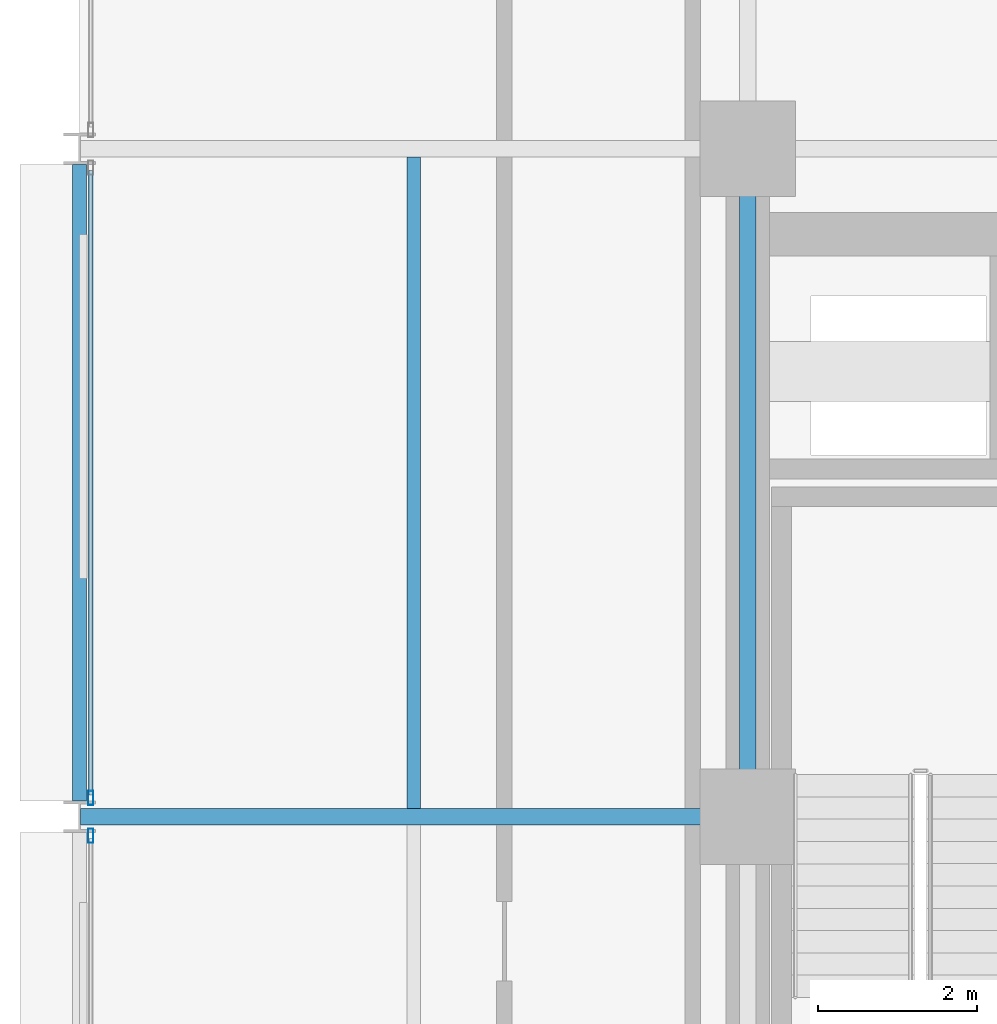
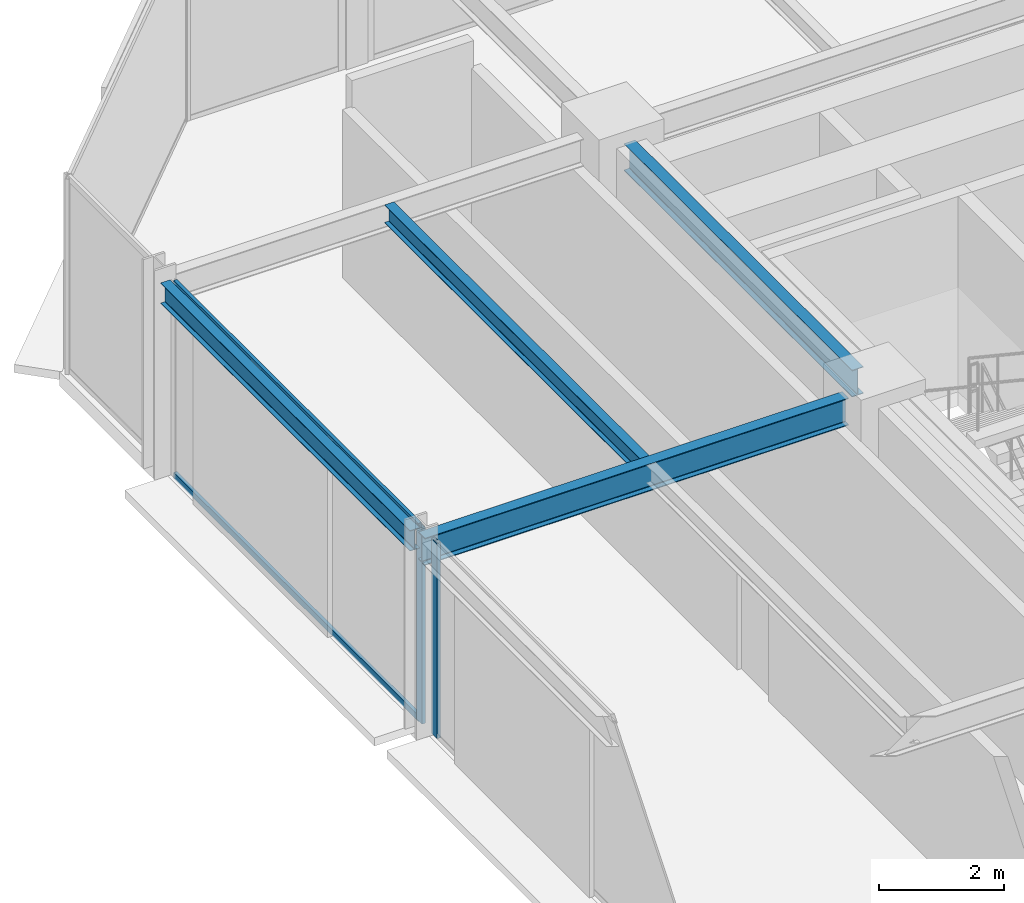
# One storey, part 16 of 30: 4 beams, 4 members, 2 elements without a shape of their own.
"""IFC4 building model written with IfcOpenShell, lengths in metres."""

from ifc_helpers import new_model, si_unit, direction, frame, origin, origin_2d, place, context, subcontext, project, spatial, hollow_rectangle, i_section, extrude, material, layer, layer_set, material_profile, profile_set, type_object, element, aggregate, save


model = new_model("IFC4")

# Units and contexts
model_context = context("Model", 3, precision=1e-05, world=origin(), true_north=direction((0.0, 1.0)))
body_context = subcontext(model_context, "Body", "Model", "MODEL_VIEW")
ifc_project = project(units=[si_unit("LENGTHUNIT", "METRE"), si_unit("AREAUNIT", "SQUARE_METRE"), si_unit("VOLUMEUNIT", "CUBIC_METRE"), si_unit("PLANEANGLEUNIT", "RADIAN"), si_unit("MASSUNIT", "GRAM", prefix="KILO")], contexts=[model_context])

# Site, building, storey
site_placement = place(None, origin())
site = spatial("IfcSite", under=ifc_project, at=site_placement, CompositionType="ELEMENT")
building_placement = place(site_placement, origin())
building = spatial("IfcBuilding", under=site, at=building_placement, Name="Nerrivon Quay Data Exchange", CompositionType="ELEMENT")
storey_placement = place(building_placement, frame((0.0, 0.0, 117.199951171875)))
storey = spatial("IfcBuildingStorey", under=building, at=storey_placement, Name="L27", CompositionType="ELEMENT", Elevation=117.199951171875)

# Beams
ifc_material_1 = material(Name="Steel Grade 350", Category="steel")
ifc_material_profile_1 = material_profile(ifc_material_1, i_section(OverallWidth=0.208984375, OverallDepth=0.532958984375, WebThickness=0.01025390625, FlangeThickness=0.015625, FilletRadius=0.013916015625, at=origin_2d()), Name="530UB92.4")
ifc_profile_set_1 = profile_set([ifc_material_profile_1], Name="Steel Grade 350")
beam_type_1 = type_object("IfcBeamType", Name="BM-G3-530UB92", PredefinedType="BEAM", material=ifc_profile_set_1)
beam_1_placement = place(storey_placement, frame((0.012451171875, 33.60009765625, 3.55859375), z_axis=(1.0, 0.0, 0.0), x_axis=(0.0, 1.0, 0.0)))
element("IfcBeam", 1, at=beam_1_placement, inside=storey, type_object=beam_type_1, Name="L27 EW Girder Y=33.6 (0.0..8.4)", PredefinedType="BEAM", context=body_context, shape_type="SweptSolid", body=[
    extrude(i_section(OverallWidth=0.208984375, OverallDepth=0.532958984375, WebThickness=0.01025390625, FlangeThickness=0.015625, FilletRadius=0.013916015625, at=origin_2d()), origin(), (0.0, 0.0, 1.0), 7.84765625),
])
ifc_material_profile_2 = material_profile(ifc_material_1, i_section(OverallWidth=0.208984375, OverallDepth=0.528076171875, WebThickness=0.009521484375, FlangeThickness=0.01318359375, FilletRadius=0.013916015625, at=origin_2d()), Name="530UB82.0")
ifc_profile_set_2 = profile_set([ifc_material_profile_2], Name="Steel Grade 350")
beam_type_2 = type_object("IfcBeamType", Name="BM-G4-530UB82", PredefinedType="BEAM", material=ifc_profile_set_2)
beam_2_placement = place(storey_placement, frame((8.39990234375, 34.139892578125, 3.56103515625), z_axis=(0.0, 1.0, 0.0), x_axis=(-1.0, 0.0, 0.0)))
element("IfcBeam", 2, at=beam_2_placement, inside=storey, type_object=beam_type_2, Name="L27 NS Girder X=8.4 (33.6..42.0)", PredefinedType="BEAM", context=body_context, shape_type="SweptSolid", body=[
    extrude(i_section(OverallWidth=0.208984375, OverallDepth=0.528076171875, WebThickness=0.009521484375, FlangeThickness=0.01318359375, FilletRadius=0.013916015625, at=origin_2d()), origin(), (0.0, 0.0, 1.0), 7.320068359375),
])
ifc_material_profile_3 = material_profile(ifc_material_1, i_section(OverallWidth=0.1708984375, OverallDepth=0.35595703125, WebThickness=0.00732421875, FlangeThickness=0.011474609375, FilletRadius=0.011474609375, at=origin_2d()), Name="360UB50.7")
ifc_profile_set_3 = profile_set([ifc_material_profile_3], Name="Steel Grade 350")
beam_type_3 = type_object("IfcBeamType", Name="BM-J4-360UB51", PredefinedType="JOIST", material=ifc_profile_set_3)
beam_3_placement = place(storey_placement, frame((4.199951171875, 33.70458984375, 3.64697265625), z_axis=(0.0, 1.0, 0.0), x_axis=(-1.0, 0.0, 0.0)))
element("IfcBeam", 3, at=beam_3_placement, inside=storey, type_object=beam_type_3, Name="L27 Secondary Joist X=4.2 (33.6..42.0)", PredefinedType="JOIST", context=body_context, shape_type="SweptSolid", body=[
    extrude(i_section(OverallWidth=0.1708984375, OverallDepth=0.35595703125, WebThickness=0.00732421875, FlangeThickness=0.011474609375, FilletRadius=0.011474609375, at=origin_2d()), origin(), (0.0, 0.0, 1.0), 8.19091796875),
])
ifc_material_profile_4 = material_profile(ifc_material_1, i_section(OverallWidth=0.177978515625, OverallDepth=0.403076171875, WebThickness=0.007568359375, FlangeThickness=0.010986328125, FilletRadius=0.011474609375, at=origin_2d()), Name="410UB53.7")
ifc_profile_set_4 = profile_set([ifc_material_profile_4], Name="Steel Grade 350")
beam_type_4 = type_object("IfcBeamType", Name="BM-SP2-410UB54", PredefinedType="SPANDREL", material=ifc_profile_set_4)
beam_4_placement = place(storey_placement, frame((0.0, 33.800048828125, 3.62353515625), z_axis=(0.0, 1.0, 0.0), x_axis=(-1.0, 0.0, 0.0)))
element("IfcBeam", 4, at=beam_4_placement, inside=storey, type_object=beam_type_4, Name="L27 NS Girder X=0.0 (33.6..42.0)", PredefinedType="SPANDREL", context=body_context, shape_type="SweptSolid", body=[
    extrude(i_section(OverallWidth=0.177978515625, OverallDepth=0.403076171875, WebThickness=0.007568359375, FlangeThickness=0.010986328125, FilletRadius=0.011474609375, at=origin_2d()), origin(), (0.0, 0.0, 1.0), 8.0),
])

# Curtain wall, member
ifc_material_2 = material(Name="Anodised aluminium 6063-T6", Category="aluminium")
ifc_layer = layer(ifc_material_2, 0.2099609375)
ifc_layer_set = layer_set([ifc_layer], Name="Anodised aluminium 6063-T6")
curtain_wall_type = type_object("IfcCurtainWallType", Name="CW-SYS-02", PredefinedType="NOTDEFINED", material=ifc_layer_set)
curtain_wall_1_placement = place(storey_placement, origin())
curtain_wall_1 = element("IfcCurtainWall", 5, at=curtain_wall_1_placement, inside=storey, type_object=curtain_wall_type, Name="L27 Unitised Curtain Wall 14", PredefinedType="NOTDEFINED")
ifc_material_profile_5 = material_profile(ifc_material_2, hollow_rectangle(XDim=0.06494140625, YDim=0.179931640625, WallThickness=0.00341796875, at=origin_2d()), Name="ALU-MULL-180x65")
ifc_profile_set_5 = profile_set([ifc_material_profile_5], Name="Anodised aluminium 6063-T6")
member_type_1 = type_object("IfcMemberType", Name="CWM-180x65", PredefinedType="MULLION", material=ifc_profile_set_5)
member_1_placement = place(storey_placement, frame((0.139892578125, 33.362548828125, 0.0), z_axis=(0.0, 0.0, 1.0), x_axis=(-1.0, 0.0, 0.0)))
member_1 = element("IfcMember", 6, at=member_1_placement, type_object=member_type_1, Name="CW02 mullion 2", PredefinedType="MULLION", context=body_context, shape_type="SweptSolid", body=[
    extrude(hollow_rectangle(XDim=0.06494140625, YDim=0.179931640625, WallThickness=0.00341796875, at=origin_2d()), origin(), (0.0, 0.0, 1.0), 3.824951171875),
])
aggregate(curtain_wall_1, [member_1])

# Curtain wall, members
curtain_wall_2_placement = place(storey_placement, origin())
curtain_wall_2 = element("IfcCurtainWall", 7, at=curtain_wall_2_placement, inside=storey, type_object=curtain_wall_type, Name="L27 Unitised Curtain Wall 15", PredefinedType="NOTDEFINED")
member_2_placement = place(storey_placement, frame((0.139892578125, 33.83740234375, 0.0), z_axis=(0.0, 0.0, 1.0), x_axis=(-1.0, 0.0, 0.0)))
member_2 = element("IfcMember", 8, at=member_2_placement, type_object=member_type_1, Name="CW02 mullion 1", PredefinedType="MULLION", context=body_context, shape_type="SweptSolid", body=[
    extrude(hollow_rectangle(XDim=0.06494140625, YDim=0.179931640625, WallThickness=0.00341796875, at=origin_2d()), origin(), (0.0, 0.0, 1.0), 3.824951171875),
])
ifc_material_profile_6 = material_profile(ifc_material_2, hollow_rectangle(XDim=0.06005859375, YDim=0.1201171875, WallThickness=0.003173828125, at=origin_2d()), Name="ALU-TRAN-120x60")
ifc_profile_set_6 = profile_set([ifc_material_profile_6], Name="Anodised aluminium 6063-T6")
member_type_2 = type_object("IfcMemberType", Name="CWT-120x60", PredefinedType="USERDEFINED", material=ifc_profile_set_6)
member_3_placement = place(storey_placement, frame((0.139892578125, 33.875, 0.032470703125), z_axis=(0.0, 1.0, 0.0), x_axis=(-1.0, 0.0, 0.0)))
member_3 = element("IfcMember", 9, at=member_3_placement, type_object=member_type_2, Name="CW02 transom 1.1", ObjectType="TRANSOM", PredefinedType="USERDEFINED", context=body_context, shape_type="SweptSolid", body=[
    extrude(hollow_rectangle(XDim=0.06005859375, YDim=0.1201171875, WallThickness=0.003173828125, at=origin_2d()), origin(), (0.0, 0.0, 1.0), 7.85009765625),
])
member_4_placement = place(storey_placement, frame((0.139892578125, 33.875, 3.79248046875), z_axis=(0.0, 1.0, 0.0), x_axis=(-1.0, 0.0, 0.0)))
member_4 = element("IfcMember", 10, at=member_4_placement, type_object=member_type_2, Name="CW02 transom 1.2", ObjectType="TRANSOM", PredefinedType="USERDEFINED", context=body_context, shape_type="SweptSolid", body=[
    extrude(hollow_rectangle(XDim=0.06005859375, YDim=0.1201171875, WallThickness=0.003173828125, at=origin_2d()), origin(), (0.0, 0.0, 1.0), 7.85009765625),
])
aggregate(curtain_wall_2, [member_2, member_3, member_4])

save(model, "model.ifc")
